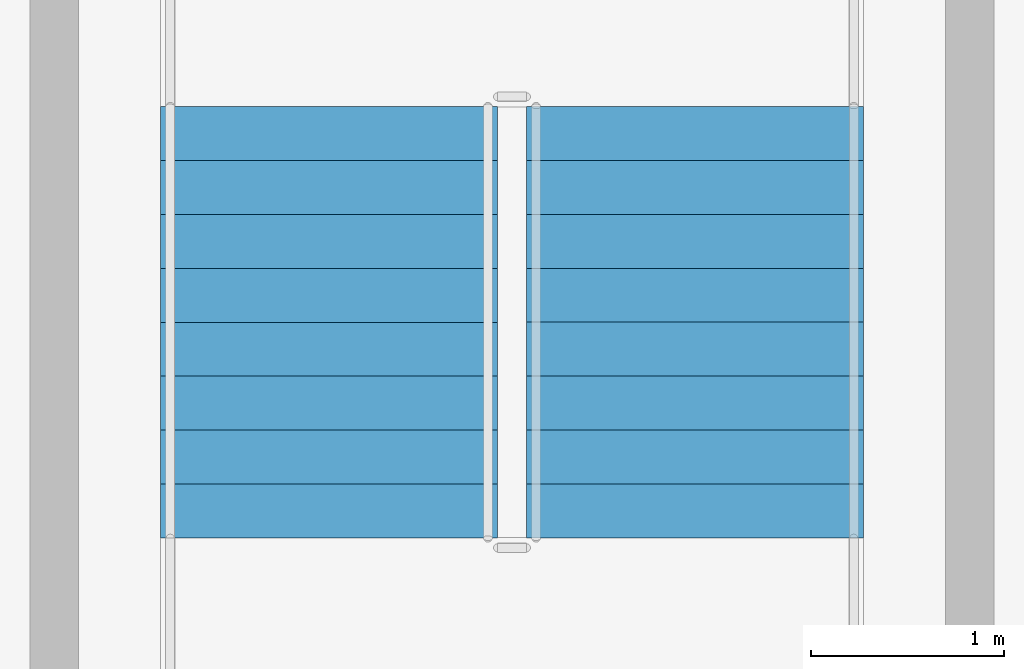
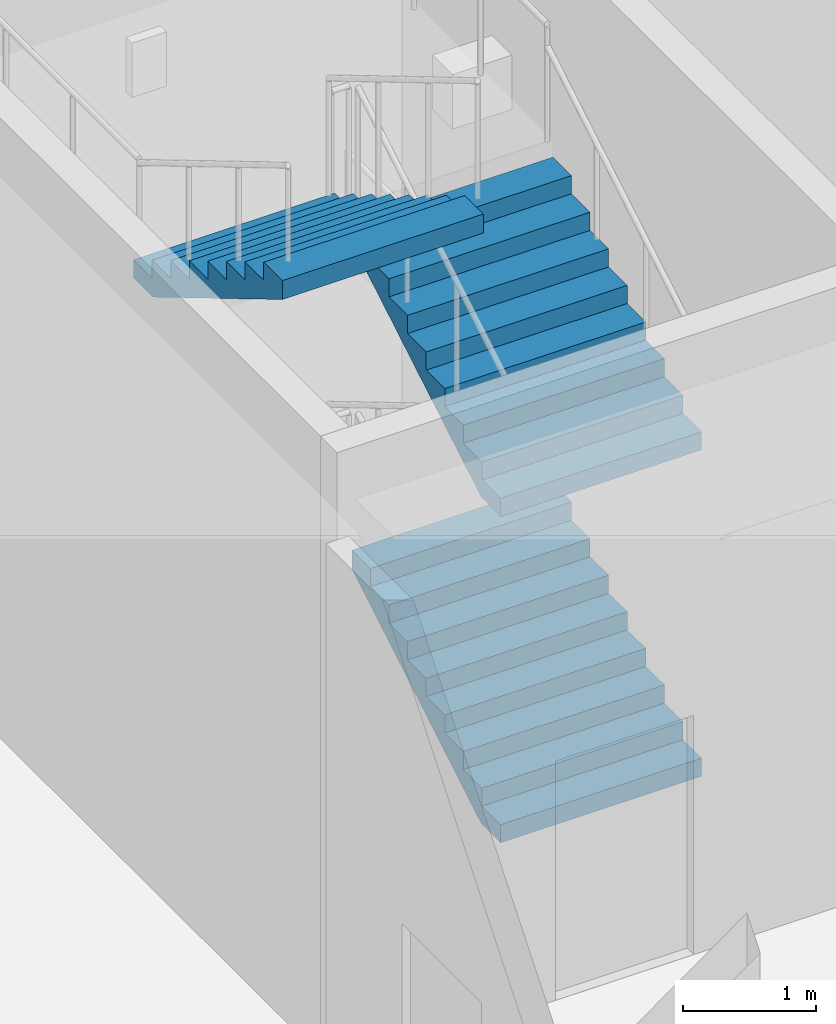
# One storey, part 65 of 125: 3 stair flights, 1 element without a shape of its own.
"""IFC4 building model written with IfcOpenShell, lengths in metres."""

import ifcopenshell
import ifcopenshell.guid

model = None  # the IFC model being written
_history = None  # IfcOwnerHistory: only IFC2X3 demands one
_inside = {}  # id of a spatial element -> (the spatial element, [elements in it])
_under = {}  # id of a project, library or spatial element -> (it, [spatial elements below it])
_declared = {}  # id of a project -> (the project, [libraries it declares])
_typed = {}  # id of a type object -> (the type object, [elements of that type])
_made_of = {}  # id of a material, layer set ... -> (it, [elements and type objects made of it])


def new_model(schema):
    """Start an empty IFC model of exactly this schema.

    Asked for "IFC4X3", IfcOpenShell would pick the latest addendum, in which some entities
    have other attributes; the version numbers below select the first issue.
    IFC2X3 requires an IfcOwnerHistory on every rooted entity: one is made here for all.
    """
    global model, _history
    if schema == "IFC4X3":
        model = ifcopenshell.file(schema_version=(4, 3, 0, 0))
    else:
        model = ifcopenshell.file(schema=schema)
    _inside.clear()
    _under.clear()
    _declared.clear()
    _typed.clear()
    _made_of.clear()
    _history = None
    if model.schema == "IFC2X3":
        org = make("IfcOrganization", Name="unknown")
        user = make(
            "IfcPersonAndOrganization",
            ThePerson=make("IfcPerson", FamilyName="unknown"),
            TheOrganization=org,
        )
        app = make(
            "IfcApplication",
            ApplicationDeveloper=org,
            Version="unknown",
            ApplicationFullName="unknown",
            ApplicationIdentifier="unknown",
        )
        _history = make(
            "IfcOwnerHistory",
            OwningUser=user,
            OwningApplication=app,
            ChangeAction="ADDED",
            CreationDate=0,
        )
    return model


def make(cls, **values):
    """One entity of the class cls with the attributes given. An attribute that is None is left unset."""
    return model.create_entity(
        cls, **{name: value for name, value in values.items() if value is not None}
    )


def rooted(cls, **values):
    """An entity with a GlobalId (a new one), such as an element, a storey or a relation."""
    return make(cls, GlobalId=ifcopenshell.guid.new(), OwnerHistory=_history, **values)


def si_unit(unit_type, name, prefix=None):
    """IfcSIUnit, for example si_unit("LENGTHUNIT", "METRE", prefix="MILLI")."""
    return make("IfcSIUnit", UnitType=unit_type, Prefix=prefix, Name=name)


def assignment(units):
    """IfcUnitAssignment: the units of a project."""
    return None if units is None else make("IfcUnitAssignment", Units=units)


def point(xyz):
    """IfcCartesianPoint."""
    return None if xyz is None else make("IfcCartesianPoint", Coordinates=xyz)


def direction(xyz):
    """IfcDirection."""
    return None if xyz is None else make("IfcDirection", DirectionRatios=xyz)


def frame(location, z_axis=None, x_axis=None):
    """IfcAxis2Placement3D, a coordinate frame: its origin and axes. An axis left out is left unset."""
    return make(
        "IfcAxis2Placement3D",
        Location=point(location),
        Axis=direction(z_axis),
        RefDirection=direction(x_axis),
    )


def origin():
    """The frame at (0, 0, 0) with its axes left unset."""
    return frame((0.0, 0.0, 0.0))


def place(relative_to, where):
    """IfcLocalPlacement: puts the frame where relative to a parent placement (None: the world)."""
    return make(
        "IfcLocalPlacement", PlacementRelTo=relative_to, RelativePlacement=where
    )


def context(
    kind, dimensions, precision=None, world=None, true_north=None, identifier=None
):
    """IfcGeometricRepresentationContext, for example the 3D "Model" context."""
    return make(
        "IfcGeometricRepresentationContext",
        ContextIdentifier=identifier,
        ContextType=kind,
        CoordinateSpaceDimension=dimensions,
        Precision=precision,
        WorldCoordinateSystem=world,
        TrueNorth=true_north,
    )


def subcontext(parent, identifier, kind, view, scale=None):
    """IfcGeometricRepresentationSubContext, for example "Body" below "Model"."""
    return make(
        "IfcGeometricRepresentationSubContext",
        ContextIdentifier=identifier,
        ContextType=kind,
        ParentContext=parent,
        TargetScale=scale,
        TargetView=view,
    )


def project(units=None, contexts=None):
    """IfcProject with its units and contexts."""
    return rooted(
        "IfcProject",
        Name="project",
        RepresentationContexts=contexts,
        UnitsInContext=assignment(units),
    )


def spatial(cls, under=None, at=None, **own):
    """A site, building, storey or space (cls), placed at a placement, below another one or the project."""
    s = rooted(cls, ObjectPlacement=at, **own)
    if under is not None:
        _under.setdefault(under.id(), (under, []))[1].append(s)
    return s


def polyline(points):
    """IfcPolyline through the points."""
    return make("IfcPolyline", Points=[point(p) for p in points])


def outline(outer, holes=None, kind="AREA"):
    """IfcArbitraryClosedProfileDef: a profile drawn as a closed curve; with holes, ...WithVoids."""
    if holes is None:
        return make("IfcArbitraryClosedProfileDef", ProfileType=kind, OuterCurve=outer)
    return make(
        "IfcArbitraryProfileDefWithVoids",
        ProfileType=kind,
        OuterCurve=outer,
        InnerCurves=holes,
    )


def extrude(swept, where, along, depth):
    """IfcExtrudedAreaSolid: the profile swept, set in the frame where, extruded along a direction by depth."""
    return make(
        "IfcExtrudedAreaSolid",
        SweptArea=swept,
        Position=where,
        ExtrudedDirection=direction(along),
        Depth=depth,
    )


def shape(context_of_items, identifier, shape_type, items):
    """IfcShapeRepresentation: the items that make up one representation, for example the "Body"."""
    return make(
        "IfcShapeRepresentation",
        ContextOfItems=context_of_items,
        RepresentationIdentifier=identifier,
        RepresentationType=shape_type,
        Items=items,
    )


def material(Name=None, Category=None):
    """IfcMaterial."""
    return make("IfcMaterial", Name=Name, Category=Category)


def made_of(thing, what):
    """Note that an element or type object is made of a material, layer set ...; save() writes the relation."""
    if what is not None:
        _made_of.setdefault(what.id(), (what, []))[1].append(thing)
    return thing


def type_object(cls, material=None, **own):
    """A type object (cls), such as IfcWallType, which elements share."""
    return made_of(rooted(cls, **own), material)


def element(
    cls,
    number,
    at=None,
    inside=None,
    cuts=None,
    type_object=None,
    material=None,
    context=None,
    identifier="Body",
    shape_type=None,
    held_by="IfcProductDefinitionShape",
    body=None,
    shapes=None,
    **own,
):
    """One element of the class cls, such as IfcWall. Its Tag is "e" and its number.

    at: its placement. inside: the storey or other place that contains it. cuts: it is an
    opening in that element (IfcRelVoidsElement). A single representation is given by context,
    identifier, shape_type and body (its items); several are given by shapes. held_by: the class
    of the entity that holds the representations. save() writes the other relations.
    """
    e = rooted(cls, Tag="e%d" % number, ObjectPlacement=at, **own)
    if body is not None:
        shapes = [shape(context, identifier, shape_type, body)]
    if shapes is not None:
        e.Representation = make(held_by, Representations=shapes)
    if inside is not None:
        _inside.setdefault(inside.id(), (inside, []))[1].append(e)
    if cuts is not None:
        rooted(
            "IfcRelVoidsElement", RelatingBuildingElement=cuts, RelatedOpeningElement=e
        )
    if type_object is not None:
        _typed.setdefault(type_object.id(), (type_object, []))[1].append(e)
    return made_of(e, material)


def aggregate(whole, parts):
    """IfcRelAggregates: a whole, such as a stair, and the parts it consists of."""
    return rooted("IfcRelAggregates", RelatingObject=whole, RelatedObjects=parts)


def save(model, path):
    """Write the relations noted so far, then the file.

    IfcRelAggregates (storeys below a building ...), IfcRelContainedInSpatialStructure (elements
    in a storey), IfcRelDefinesByType, IfcRelAssociatesMaterial and IfcRelDeclares: one each for
    every whole, place, type object, material and project.
    """
    for whole, parts in _under.values():
        aggregate(whole, parts)
    for where, things in _inside.values():
        rooted(
            "IfcRelContainedInSpatialStructure",
            RelatedElements=things,
            RelatingStructure=where,
        )
    for kind, things in _typed.values():
        rooted("IfcRelDefinesByType", RelatedObjects=things, RelatingType=kind)
    for what, things in _made_of.values():
        rooted("IfcRelAssociatesMaterial", RelatedObjects=things, RelatingMaterial=what)
    for by, libraries in _declared.values():
        rooted("IfcRelDeclares", RelatingContext=by, RelatedDefinitions=libraries)
    model.write(path)


model = new_model("IFC4")

# Units and contexts
model_context = context("Model", 3, precision=1e-05, world=origin(), true_north=direction((0.0, 1.0)))
body_context = subcontext(model_context, "Body", "Model", "MODEL_VIEW")
ifc_project = project(units=[si_unit("LENGTHUNIT", "METRE"), si_unit("AREAUNIT", "SQUARE_METRE"), si_unit("VOLUMEUNIT", "CUBIC_METRE"), si_unit("PLANEANGLEUNIT", "RADIAN"), si_unit("MASSUNIT", "GRAM", prefix="KILO")], contexts=[model_context])

# Site, building, storey
site_placement = place(None, origin())
site = spatial("IfcSite", under=ifc_project, at=site_placement, CompositionType="ELEMENT")
building_placement = place(site_placement, origin())
building = spatial("IfcBuilding", under=site, at=building_placement, Name="Sun Court Science Centre", CompositionType="ELEMENT")
storey_placement = place(building_placement, origin())
storey = spatial("IfcBuildingStorey", under=building, at=storey_placement, Name="L00", CompositionType="ELEMENT", Elevation=0.0)

# Stair, stair flights
ifc_material_1 = material(Name="Concrete C25/30", Category="concrete")
stair_type = type_object("IfcStairType", Name="Stair 1500 enclosed half-turn", PredefinedType="HALF_TURN_STAIR", material=ifc_material_1)
stair_placement = place(storey_placement, origin())
stair = element("IfcStair", 1, at=stair_placement, inside=storey, type_object=stair_type, Name="L00 Stair SL3", PredefinedType="HALF_TURN_STAIR")
ifc_material_2 = material(Name="Concrete C25/30", Category="concrete")
stair_flight_type = type_object("IfcStairFlightType", Name="Stair flight 1500 with waist", PredefinedType="STRAIGHT", material=ifc_material_2)
stair_flight_1_placement = place(storey_placement, frame((85.448974609375, 60.498046875, 0.0), z_axis=(0.0, 0.0, 1.0), x_axis=(0.0, 1.0, 0.0)))
stair_flight_1 = element("IfcStairFlight", 2, at=stair_flight_1_placement, type_object=stair_flight_type, Name="SL3 flight 1", NumberOfRisers=9, NumberOfTreads=8, PredefinedType="STRAIGHT", RiserHeight=0.166666667, TreadLength=0.28, context=body_context, shape_type="SweptSolid", body=[
    extrude(outline(polyline([(0.0, 0.0), (0.0, 0.00244140625), (0.0, 0.0048828125), (0.0, 0.00732421875), (0.0, 0.009765625), (0.0, 0.01220703125), (0.0, 0.0146484375), (0.0, 0.01708984375), (0.0, 0.01953125), (0.0, 0.02197265625), (0.0, 0.0244140625), (0.0, 0.02685546875), (0.0, 0.029296875), (0.0, 0.03173828125), (0.0, 0.0341796875), (0.0, 0.03662109375), (0.0, 0.0390625), (0.0, 0.04150390625), (0.0, 0.0439453125), (0.0, 0.04638671875), (0.0, 0.048828125), (0.0, 0.05126953125), (0.0, 0.0537109375), (0.0, 0.05615234375), (0.0, 0.05859375), (0.0, 0.06103515625), (0.0, 0.0634765625), (0.0, 0.06591796875), (0.0, 0.068359375), (0.0, 0.07080078125), (0.0, 0.0732421875), (0.0, 0.07568359375), (0.0, 0.078125), (0.0, 0.08056640625), (0.0, 0.0830078125), (0.0, 0.08544921875), (0.0, 0.087890625), (0.0, 0.09033203125), (0.0, 0.0927734375), (0.0, 0.09521484375), (0.0, 0.09765625), (0.0, 0.10009765625), (0.0, 0.1025390625), (0.0, 0.10498046875), (0.0, 0.107421875), (0.0, 0.10986328125), (0.0, 0.1123046875), (0.0, 0.11474609375), (0.0, 0.1171875), (0.0, 0.11962890625), (0.0, 0.1220703125), (0.0, 0.12451171875), (0.0, 0.126953125), (0.0, 0.12939453125), (0.0, 0.1318359375), (0.0, 0.13427734375), (0.0, 0.13671875), (0.0, 0.13916015625), (0.0, 0.1416015625), (0.0, 0.14404296875), (0.0, 0.146484375), (0.0, 0.14892578125), (0.0, 0.1513671875), (0.0, 0.15380859375), (0.0, 0.15625), (0.0, 0.15869140625), (0.0, 0.1611328125), (0.0, 0.16357421875), (0.0, 0.166748046875), (0.280029296875, 0.166748046875), (0.280029296875, 0.333251953125), (0.56005859375, 0.333251953125), (0.56005859375, 0.5), (0.840087890625, 0.5), (0.840087890625, 0.666748046875), (1.1201171875, 0.666748046875), (1.1201171875, 0.833251953125), (1.39990234375, 0.833251953125), (1.39990234375, 1.0), (1.679931640625, 1.0), (1.679931640625, 1.166748046875), (1.9599609375, 1.166748046875), (1.9599609375, 1.333251953125), (2.239990234375, 1.333251953125), (2.239990234375, 1.335693359375), (2.239990234375, 1.338134765625), (2.239990234375, 1.340576171875), (2.239990234375, 1.343017578125), (2.239990234375, 1.345458984375), (2.239990234375, 1.347900390625), (2.239990234375, 1.350341796875), (2.239990234375, 1.352783203125), (2.239990234375, 1.355224609375), (2.239990234375, 1.357666015625), (2.239990234375, 1.360107421875), (2.239990234375, 1.362548828125), (2.239990234375, 1.364990234375), (2.239990234375, 1.367431640625), (2.239990234375, 1.369873046875), (2.239990234375, 1.372314453125), (2.239990234375, 1.374755859375), (2.239990234375, 1.377197265625), (2.239990234375, 1.379638671875), (2.239990234375, 1.382080078125), (2.239990234375, 1.384521484375), (2.239990234375, 1.386962890625), (2.239990234375, 1.389404296875), (2.239990234375, 1.391845703125), (2.239990234375, 1.394287109375), (2.239990234375, 1.396728515625), (2.239990234375, 1.399169921875), (2.239990234375, 1.401611328125), (2.239990234375, 1.404052734375), (2.239990234375, 1.406494140625), (2.239990234375, 1.408935546875), (2.239990234375, 1.411376953125), (2.239990234375, 1.413818359375), (2.239990234375, 1.416259765625), (2.239990234375, 1.418701171875), (2.239990234375, 1.421142578125), (2.239990234375, 1.423583984375), (2.239990234375, 1.426025390625), (2.239990234375, 1.428466796875), (2.239990234375, 1.430908203125), (2.239990234375, 1.433349609375), (2.239990234375, 1.435791015625), (2.239990234375, 1.438232421875), (2.239990234375, 1.440673828125), (2.239990234375, 1.443115234375), (2.239990234375, 1.445556640625), (2.239990234375, 1.447998046875), (2.239990234375, 1.450439453125), (2.239990234375, 1.452880859375), (2.239990234375, 1.455322265625), (2.239990234375, 1.457763671875), (2.239990234375, 1.460205078125), (2.239990234375, 1.462646484375), (2.239990234375, 1.465087890625), (2.239990234375, 1.467529296875), (2.239990234375, 1.469970703125), (2.239990234375, 1.472412109375), (2.239990234375, 1.474853515625), (2.239990234375, 1.477294921875), (2.239990234375, 1.479736328125), (2.239990234375, 1.482177734375), (2.239990234375, 1.484619140625), (2.239990234375, 1.487060546875), (2.239990234375, 1.489501953125), (2.239990234375, 1.491943359375), (2.239990234375, 1.494384765625), (2.239990234375, 1.496826171875), (2.239990234375, 1.5), (2.239990234375, 1.49755859375), (2.239990234375, 1.4951171875), (2.239990234375, 1.49267578125), (2.239990234375, 1.490234375), (2.239990234375, 1.48779296875), (2.239990234375, 1.4853515625), (2.239990234375, 1.48291015625), (2.239990234375, 1.48046875), (2.239990234375, 1.47802734375), (2.239990234375, 1.4755859375), (2.239990234375, 1.47314453125), (2.239990234375, 1.470703125), (2.239990234375, 1.46826171875), (2.239990234375, 1.4658203125), (2.239990234375, 1.46337890625), (2.239990234375, 1.4609375), (2.239990234375, 1.45849609375), (2.239990234375, 1.4560546875), (2.239990234375, 1.45361328125), (2.239990234375, 1.451171875), (2.239990234375, 1.44873046875), (2.239990234375, 1.4462890625), (2.239990234375, 1.44384765625), (2.239990234375, 1.44140625), (2.239990234375, 1.43896484375), (2.239990234375, 1.4365234375), (2.239990234375, 1.43408203125), (2.239990234375, 1.431640625), (2.239990234375, 1.42919921875), (2.239990234375, 1.4267578125), (2.239990234375, 1.42431640625), (2.239990234375, 1.421875), (2.239990234375, 1.41943359375), (2.239990234375, 1.4169921875), (2.239990234375, 1.41455078125), (2.239990234375, 1.412109375), (2.239990234375, 1.40966796875), (2.239990234375, 1.4072265625), (2.239990234375, 1.40478515625), (2.239990234375, 1.40234375), (2.239990234375, 1.39990234375), (2.239990234375, 1.3974609375), (2.239990234375, 1.39501953125), (2.239990234375, 1.392578125), (2.239990234375, 1.39013671875), (2.239990234375, 1.3876953125), (2.239990234375, 1.38525390625), (2.239990234375, 1.3828125), (2.239990234375, 1.38037109375), (2.239990234375, 1.3779296875), (2.239990234375, 1.37548828125), (2.239990234375, 1.373046875), (2.239990234375, 1.37060546875), (2.239990234375, 1.3681640625), (2.239990234375, 1.36572265625), (2.239990234375, 1.36328125), (2.239990234375, 1.36083984375), (2.239990234375, 1.3583984375), (2.239990234375, 1.35595703125), (2.239990234375, 1.353515625), (2.239990234375, 1.35107421875), (2.239990234375, 1.3486328125), (2.239990234375, 1.34619140625), (2.239990234375, 1.34375), (2.239990234375, 1.34130859375), (2.239990234375, 1.3388671875), (2.239990234375, 1.33642578125), (2.239990234375, 1.333984375), (2.239990234375, 1.33154296875), (2.239990234375, 1.3291015625), (2.239990234375, 1.32666015625), (2.239990234375, 1.32421875), (2.239990234375, 1.32177734375), (2.239990234375, 1.3193359375), (2.239990234375, 1.31689453125), (2.239990234375, 1.314453125), (2.239990234375, 1.31201171875), (2.239990234375, 1.3095703125), (2.239990234375, 1.30712890625), (2.239990234375, 1.3046875), (2.239990234375, 1.30224609375), (2.239990234375, 1.2998046875), (2.239990234375, 1.29736328125), (2.239990234375, 1.294921875), (2.239990234375, 1.29248046875), (2.239990234375, 1.2900390625), (2.239990234375, 1.28759765625), (2.239990234375, 1.28515625), (2.239990234375, 1.28271484375), (2.239990234375, 1.2802734375), (2.239990234375, 1.27783203125), (2.239990234375, 1.275390625), (2.239990234375, 1.27294921875), (2.239990234375, 1.2705078125), (2.239990234375, 1.26806640625), (2.239990234375, 1.265625), (2.239990234375, 1.26318359375), (2.239990234375, 1.2607421875), (2.239990234375, 1.25830078125), (2.239990234375, 1.255859375), (2.239990234375, 1.25341796875), (2.239990234375, 1.2509765625), (2.239990234375, 1.24853515625), (2.239990234375, 1.24609375), (2.239990234375, 1.24365234375), (2.239990234375, 1.2412109375), (2.239990234375, 1.23876953125), (2.239990234375, 1.236328125), (2.239990234375, 1.23388671875), (2.239990234375, 1.2314453125), (2.239990234375, 1.22900390625), (2.239990234375, 1.2265625), (2.239990234375, 1.22412109375), (2.239990234375, 1.2216796875), (2.239990234375, 1.21923828125), (2.239990234375, 1.216796875), (2.239990234375, 1.21435546875), (2.239990234375, 1.2119140625), (2.239990234375, 1.20947265625), (2.239990234375, 1.20703125), (2.239990234375, 1.20458984375), (2.239990234375, 1.2021484375), (2.239990234375, 1.19970703125), (2.239990234375, 1.197265625), (2.239990234375, 1.19482421875), (2.239990234375, 1.1923828125), (2.239990234375, 1.18994140625), (2.239990234375, 1.1875), (2.239990234375, 1.18505859375), (2.239990234375, 1.1826171875), (2.239990234375, 1.18017578125), (2.239990234375, 1.177734375), (2.239990234375, 1.17529296875), (2.239990234375, 1.1728515625), (2.239990234375, 1.17041015625), (2.239990234375, 1.16796875), (2.239990234375, 1.16552734375), (2.239990234375, 1.1630859375), (2.239990234375, 1.158935546875), (0.29296875, 0.0), (0.0, 0.0)])), frame((0.0, 0.8740234375, 0.0), z_axis=(0.0, -1.0, 0.0), x_axis=(1.0, 0.0, 0.0)), (0.0, 0.0, 1.0), 1.748046875),
])
stair_flight_2_placement = place(storey_placement, frame((85.448974609375, 60.498046875, 3.0), z_axis=(0.0, 0.0, 1.0), x_axis=(0.0, 1.0, 0.0)))
stair_flight_2 = element("IfcStairFlight", 3, at=stair_flight_2_placement, type_object=stair_flight_type, Name="SL3 flight 3", NumberOfRisers=9, NumberOfTreads=8, PredefinedType="STRAIGHT", RiserHeight=0.166666667, TreadLength=0.28, context=body_context, shape_type="SweptSolid", body=[
    extrude(outline(polyline([(0.0, 0.0), (0.0, 0.00244140625), (0.0, 0.0048828125), (0.0, 0.00732421875), (0.0, 0.009765625), (0.0, 0.01220703125), (0.0, 0.0146484375), (0.0, 0.01708984375), (0.0, 0.01953125), (0.0, 0.02197265625), (0.0, 0.0244140625), (0.0, 0.02685546875), (0.0, 0.029296875), (0.0, 0.03173828125), (0.0, 0.0341796875), (0.0, 0.03662109375), (0.0, 0.0390625), (0.0, 0.04150390625), (0.0, 0.0439453125), (0.0, 0.04638671875), (0.0, 0.048828125), (0.0, 0.05126953125), (0.0, 0.0537109375), (0.0, 0.05615234375), (0.0, 0.05859375), (0.0, 0.06103515625), (0.0, 0.0634765625), (0.0, 0.06591796875), (0.0, 0.068359375), (0.0, 0.07080078125), (0.0, 0.0732421875), (0.0, 0.07568359375), (0.0, 0.078125), (0.0, 0.08056640625), (0.0, 0.0830078125), (0.0, 0.08544921875), (0.0, 0.087890625), (0.0, 0.09033203125), (0.0, 0.0927734375), (0.0, 0.09521484375), (0.0, 0.09765625), (0.0, 0.10009765625), (0.0, 0.1025390625), (0.0, 0.10498046875), (0.0, 0.107421875), (0.0, 0.10986328125), (0.0, 0.1123046875), (0.0, 0.11474609375), (0.0, 0.1171875), (0.0, 0.11962890625), (0.0, 0.1220703125), (0.0, 0.12451171875), (0.0, 0.126953125), (0.0, 0.12939453125), (0.0, 0.1318359375), (0.0, 0.13427734375), (0.0, 0.13671875), (0.0, 0.13916015625), (0.0, 0.1416015625), (0.0, 0.14404296875), (0.0, 0.146484375), (0.0, 0.14892578125), (0.0, 0.1513671875), (0.0, 0.15380859375), (0.0, 0.15625), (0.0, 0.15869140625), (0.0, 0.1611328125), (0.0, 0.16357421875), (0.0, 0.166748046875), (0.280029296875, 0.166748046875), (0.280029296875, 0.333251953125), (0.56005859375, 0.333251953125), (0.56005859375, 0.5), (0.840087890625, 0.5), (0.840087890625, 0.666748046875), (1.1201171875, 0.666748046875), (1.1201171875, 0.833251953125), (1.39990234375, 0.833251953125), (1.39990234375, 1.0), (1.679931640625, 1.0), (1.679931640625, 1.166748046875), (1.9599609375, 1.166748046875), (1.9599609375, 1.333251953125), (2.239990234375, 1.333251953125), (2.239990234375, 1.335693359375), (2.239990234375, 1.338134765625), (2.239990234375, 1.340576171875), (2.239990234375, 1.343017578125), (2.239990234375, 1.345458984375), (2.239990234375, 1.347900390625), (2.239990234375, 1.350341796875), (2.239990234375, 1.352783203125), (2.239990234375, 1.355224609375), (2.239990234375, 1.357666015625), (2.239990234375, 1.360107421875), (2.239990234375, 1.362548828125), (2.239990234375, 1.364990234375), (2.239990234375, 1.367431640625), (2.239990234375, 1.369873046875), (2.239990234375, 1.372314453125), (2.239990234375, 1.374755859375), (2.239990234375, 1.377197265625), (2.239990234375, 1.379638671875), (2.239990234375, 1.382080078125), (2.239990234375, 1.384521484375), (2.239990234375, 1.386962890625), (2.239990234375, 1.389404296875), (2.239990234375, 1.391845703125), (2.239990234375, 1.394287109375), (2.239990234375, 1.396728515625), (2.239990234375, 1.399169921875), (2.239990234375, 1.401611328125), (2.239990234375, 1.404052734375), (2.239990234375, 1.406494140625), (2.239990234375, 1.408935546875), (2.239990234375, 1.411376953125), (2.239990234375, 1.413818359375), (2.239990234375, 1.416259765625), (2.239990234375, 1.418701171875), (2.239990234375, 1.421142578125), (2.239990234375, 1.423583984375), (2.239990234375, 1.426025390625), (2.239990234375, 1.428466796875), (2.239990234375, 1.430908203125), (2.239990234375, 1.433349609375), (2.239990234375, 1.435791015625), (2.239990234375, 1.438232421875), (2.239990234375, 1.440673828125), (2.239990234375, 1.443115234375), (2.239990234375, 1.445556640625), (2.239990234375, 1.447998046875), (2.239990234375, 1.450439453125), (2.239990234375, 1.452880859375), (2.239990234375, 1.455322265625), (2.239990234375, 1.457763671875), (2.239990234375, 1.460205078125), (2.239990234375, 1.462646484375), (2.239990234375, 1.465087890625), (2.239990234375, 1.467529296875), (2.239990234375, 1.469970703125), (2.239990234375, 1.472412109375), (2.239990234375, 1.474853515625), (2.239990234375, 1.477294921875), (2.239990234375, 1.479736328125), (2.239990234375, 1.482177734375), (2.239990234375, 1.484619140625), (2.239990234375, 1.487060546875), (2.239990234375, 1.489501953125), (2.239990234375, 1.491943359375), (2.239990234375, 1.494384765625), (2.239990234375, 1.496826171875), (2.239990234375, 1.5), (2.239990234375, 1.49755859375), (2.239990234375, 1.4951171875), (2.239990234375, 1.49267578125), (2.239990234375, 1.490234375), (2.239990234375, 1.48779296875), (2.239990234375, 1.4853515625), (2.239990234375, 1.48291015625), (2.239990234375, 1.48046875), (2.239990234375, 1.47802734375), (2.239990234375, 1.4755859375), (2.239990234375, 1.47314453125), (2.239990234375, 1.470703125), (2.239990234375, 1.46826171875), (2.239990234375, 1.4658203125), (2.239990234375, 1.46337890625), (2.239990234375, 1.4609375), (2.239990234375, 1.45849609375), (2.239990234375, 1.4560546875), (2.239990234375, 1.45361328125), (2.239990234375, 1.451171875), (2.239990234375, 1.44873046875), (2.239990234375, 1.4462890625), (2.239990234375, 1.44384765625), (2.239990234375, 1.44140625), (2.239990234375, 1.43896484375), (2.239990234375, 1.4365234375), (2.239990234375, 1.43408203125), (2.239990234375, 1.431640625), (2.239990234375, 1.42919921875), (2.239990234375, 1.4267578125), (2.239990234375, 1.42431640625), (2.239990234375, 1.421875), (2.239990234375, 1.41943359375), (2.239990234375, 1.4169921875), (2.239990234375, 1.41455078125), (2.239990234375, 1.412109375), (2.239990234375, 1.40966796875), (2.239990234375, 1.4072265625), (2.239990234375, 1.40478515625), (2.239990234375, 1.40234375), (2.239990234375, 1.39990234375), (2.239990234375, 1.3974609375), (2.239990234375, 1.39501953125), (2.239990234375, 1.392578125), (2.239990234375, 1.39013671875), (2.239990234375, 1.3876953125), (2.239990234375, 1.38525390625), (2.239990234375, 1.3828125), (2.239990234375, 1.38037109375), (2.239990234375, 1.3779296875), (2.239990234375, 1.37548828125), (2.239990234375, 1.373046875), (2.239990234375, 1.37060546875), (2.239990234375, 1.3681640625), (2.239990234375, 1.36572265625), (2.239990234375, 1.36328125), (2.239990234375, 1.36083984375), (2.239990234375, 1.3583984375), (2.239990234375, 1.35595703125), (2.239990234375, 1.353515625), (2.239990234375, 1.35107421875), (2.239990234375, 1.3486328125), (2.239990234375, 1.34619140625), (2.239990234375, 1.34375), (2.239990234375, 1.34130859375), (2.239990234375, 1.3388671875), (2.239990234375, 1.33642578125), (2.239990234375, 1.333984375), (2.239990234375, 1.33154296875), (2.239990234375, 1.3291015625), (2.239990234375, 1.32666015625), (2.239990234375, 1.32421875), (2.239990234375, 1.32177734375), (2.239990234375, 1.3193359375), (2.239990234375, 1.31689453125), (2.239990234375, 1.314453125), (2.239990234375, 1.31201171875), (2.239990234375, 1.3095703125), (2.239990234375, 1.30712890625), (2.239990234375, 1.3046875), (2.239990234375, 1.30224609375), (2.239990234375, 1.2998046875), (2.239990234375, 1.29736328125), (2.239990234375, 1.294921875), (2.239990234375, 1.29248046875), (2.239990234375, 1.2900390625), (2.239990234375, 1.28759765625), (2.239990234375, 1.28515625), (2.239990234375, 1.28271484375), (2.239990234375, 1.2802734375), (2.239990234375, 1.27783203125), (2.239990234375, 1.275390625), (2.239990234375, 1.27294921875), (2.239990234375, 1.2705078125), (2.239990234375, 1.26806640625), (2.239990234375, 1.265625), (2.239990234375, 1.26318359375), (2.239990234375, 1.2607421875), (2.239990234375, 1.25830078125), (2.239990234375, 1.255859375), (2.239990234375, 1.25341796875), (2.239990234375, 1.2509765625), (2.239990234375, 1.24853515625), (2.239990234375, 1.24609375), (2.239990234375, 1.24365234375), (2.239990234375, 1.2412109375), (2.239990234375, 1.23876953125), (2.239990234375, 1.236328125), (2.239990234375, 1.23388671875), (2.239990234375, 1.2314453125), (2.239990234375, 1.22900390625), (2.239990234375, 1.2265625), (2.239990234375, 1.22412109375), (2.239990234375, 1.2216796875), (2.239990234375, 1.21923828125), (2.239990234375, 1.216796875), (2.239990234375, 1.21435546875), (2.239990234375, 1.2119140625), (2.239990234375, 1.20947265625), (2.239990234375, 1.20703125), (2.239990234375, 1.20458984375), (2.239990234375, 1.2021484375), (2.239990234375, 1.19970703125), (2.239990234375, 1.197265625), (2.239990234375, 1.19482421875), (2.239990234375, 1.1923828125), (2.239990234375, 1.18994140625), (2.239990234375, 1.1875), (2.239990234375, 1.18505859375), (2.239990234375, 1.1826171875), (2.239990234375, 1.18017578125), (2.239990234375, 1.177734375), (2.239990234375, 1.17529296875), (2.239990234375, 1.1728515625), (2.239990234375, 1.17041015625), (2.239990234375, 1.16796875), (2.239990234375, 1.16552734375), (2.239990234375, 1.1630859375), (2.239990234375, 1.158935546875), (0.29296875, 0.0), (0.0, 0.0)])), frame((0.0, 0.8740234375, 0.0), z_axis=(0.0, -1.0, 0.0), x_axis=(1.0, 0.0, 0.0)), (0.0, 0.0, 1.0), 1.748046875),
])
stair_flight_3_placement = place(storey_placement, frame((83.551025390625, 62.738037109375, 4.5), z_axis=(0.0, 0.0, 1.0), x_axis=(0.0, -1.0, 0.0)))
stair_flight_3 = element("IfcStairFlight", 4, at=stair_flight_3_placement, type_object=stair_flight_type, Name="SL3 flight 4", NumberOfRisers=9, NumberOfTreads=8, PredefinedType="STRAIGHT", RiserHeight=0.166666667, TreadLength=0.28, context=body_context, shape_type="SweptSolid", body=[
    extrude(outline(polyline([(0.0, 0.0), (0.0, 0.00244140625), (0.0, 0.0048828125), (0.0, 0.00732421875), (0.0, 0.009765625), (0.0, 0.01220703125), (0.0, 0.0146484375), (0.0, 0.01708984375), (0.0, 0.01953125), (0.0, 0.02197265625), (0.0, 0.0244140625), (0.0, 0.02685546875), (0.0, 0.029296875), (0.0, 0.03173828125), (0.0, 0.0341796875), (0.0, 0.03662109375), (0.0, 0.0390625), (0.0, 0.04150390625), (0.0, 0.0439453125), (0.0, 0.04638671875), (0.0, 0.048828125), (0.0, 0.05126953125), (0.0, 0.0537109375), (0.0, 0.05615234375), (0.0, 0.05859375), (0.0, 0.06103515625), (0.0, 0.0634765625), (0.0, 0.06591796875), (0.0, 0.068359375), (0.0, 0.07080078125), (0.0, 0.0732421875), (0.0, 0.07568359375), (0.0, 0.078125), (0.0, 0.08056640625), (0.0, 0.0830078125), (0.0, 0.08544921875), (0.0, 0.087890625), (0.0, 0.09033203125), (0.0, 0.0927734375), (0.0, 0.09521484375), (0.0, 0.09765625), (0.0, 0.10009765625), (0.0, 0.1025390625), (0.0, 0.10498046875), (0.0, 0.107421875), (0.0, 0.10986328125), (0.0, 0.1123046875), (0.0, 0.11474609375), (0.0, 0.1171875), (0.0, 0.11962890625), (0.0, 0.1220703125), (0.0, 0.12451171875), (0.0, 0.126953125), (0.0, 0.12939453125), (0.0, 0.1318359375), (0.0, 0.13427734375), (0.0, 0.13671875), (0.0, 0.13916015625), (0.0, 0.1416015625), (0.0, 0.14404296875), (0.0, 0.146484375), (0.0, 0.14892578125), (0.0, 0.1513671875), (0.0, 0.15380859375), (0.0, 0.15625), (0.0, 0.15869140625), (0.0, 0.1611328125), (0.0, 0.16357421875), (0.0, 0.166748046875), (0.280029296875, 0.166748046875), (0.280029296875, 0.333251953125), (0.56005859375, 0.333251953125), (0.56005859375, 0.5), (0.840087890625, 0.5), (0.840087890625, 0.666748046875), (1.1201171875, 0.666748046875), (1.1201171875, 0.833251953125), (1.39990234375, 0.833251953125), (1.39990234375, 1.0), (1.679931640625, 1.0), (1.679931640625, 1.166748046875), (1.9599609375, 1.166748046875), (1.9599609375, 1.333251953125), (2.239990234375, 1.333251953125), (2.239990234375, 1.335693359375), (2.239990234375, 1.338134765625), (2.239990234375, 1.340576171875), (2.239990234375, 1.343017578125), (2.239990234375, 1.345458984375), (2.239990234375, 1.347900390625), (2.239990234375, 1.350341796875), (2.239990234375, 1.352783203125), (2.239990234375, 1.355224609375), (2.239990234375, 1.357666015625), (2.239990234375, 1.360107421875), (2.239990234375, 1.362548828125), (2.239990234375, 1.364990234375), (2.239990234375, 1.367431640625), (2.239990234375, 1.369873046875), (2.239990234375, 1.372314453125), (2.239990234375, 1.374755859375), (2.239990234375, 1.377197265625), (2.239990234375, 1.379638671875), (2.239990234375, 1.382080078125), (2.239990234375, 1.384521484375), (2.239990234375, 1.386962890625), (2.239990234375, 1.389404296875), (2.239990234375, 1.391845703125), (2.239990234375, 1.394287109375), (2.239990234375, 1.396728515625), (2.239990234375, 1.399169921875), (2.239990234375, 1.401611328125), (2.239990234375, 1.404052734375), (2.239990234375, 1.406494140625), (2.239990234375, 1.408935546875), (2.239990234375, 1.411376953125), (2.239990234375, 1.413818359375), (2.239990234375, 1.416259765625), (2.239990234375, 1.418701171875), (2.239990234375, 1.421142578125), (2.239990234375, 1.423583984375), (2.239990234375, 1.426025390625), (2.239990234375, 1.428466796875), (2.239990234375, 1.430908203125), (2.239990234375, 1.433349609375), (2.239990234375, 1.435791015625), (2.239990234375, 1.438232421875), (2.239990234375, 1.440673828125), (2.239990234375, 1.443115234375), (2.239990234375, 1.445556640625), (2.239990234375, 1.447998046875), (2.239990234375, 1.450439453125), (2.239990234375, 1.452880859375), (2.239990234375, 1.455322265625), (2.239990234375, 1.457763671875), (2.239990234375, 1.460205078125), (2.239990234375, 1.462646484375), (2.239990234375, 1.465087890625), (2.239990234375, 1.467529296875), (2.239990234375, 1.469970703125), (2.239990234375, 1.472412109375), (2.239990234375, 1.474853515625), (2.239990234375, 1.477294921875), (2.239990234375, 1.479736328125), (2.239990234375, 1.482177734375), (2.239990234375, 1.484619140625), (2.239990234375, 1.487060546875), (2.239990234375, 1.489501953125), (2.239990234375, 1.491943359375), (2.239990234375, 1.494384765625), (2.239990234375, 1.496826171875), (2.239990234375, 1.5), (2.239990234375, 1.49755859375), (2.239990234375, 1.4951171875), (2.239990234375, 1.49267578125), (2.239990234375, 1.490234375), (2.239990234375, 1.48779296875), (2.239990234375, 1.4853515625), (2.239990234375, 1.48291015625), (2.239990234375, 1.48046875), (2.239990234375, 1.47802734375), (2.239990234375, 1.4755859375), (2.239990234375, 1.47314453125), (2.239990234375, 1.470703125), (2.239990234375, 1.46826171875), (2.239990234375, 1.4658203125), (2.239990234375, 1.46337890625), (2.239990234375, 1.4609375), (2.239990234375, 1.45849609375), (2.239990234375, 1.4560546875), (2.239990234375, 1.45361328125), (2.239990234375, 1.451171875), (2.239990234375, 1.44873046875), (2.239990234375, 1.4462890625), (2.239990234375, 1.44384765625), (2.239990234375, 1.44140625), (2.239990234375, 1.43896484375), (2.239990234375, 1.4365234375), (2.239990234375, 1.43408203125), (2.239990234375, 1.431640625), (2.239990234375, 1.42919921875), (2.239990234375, 1.4267578125), (2.239990234375, 1.42431640625), (2.239990234375, 1.421875), (2.239990234375, 1.41943359375), (2.239990234375, 1.4169921875), (2.239990234375, 1.41455078125), (2.239990234375, 1.412109375), (2.239990234375, 1.40966796875), (2.239990234375, 1.4072265625), (2.239990234375, 1.40478515625), (2.239990234375, 1.40234375), (2.239990234375, 1.39990234375), (2.239990234375, 1.3974609375), (2.239990234375, 1.39501953125), (2.239990234375, 1.392578125), (2.239990234375, 1.39013671875), (2.239990234375, 1.3876953125), (2.239990234375, 1.38525390625), (2.239990234375, 1.3828125), (2.239990234375, 1.38037109375), (2.239990234375, 1.3779296875), (2.239990234375, 1.37548828125), (2.239990234375, 1.373046875), (2.239990234375, 1.37060546875), (2.239990234375, 1.3681640625), (2.239990234375, 1.36572265625), (2.239990234375, 1.36328125), (2.239990234375, 1.36083984375), (2.239990234375, 1.3583984375), (2.239990234375, 1.35595703125), (2.239990234375, 1.353515625), (2.239990234375, 1.35107421875), (2.239990234375, 1.3486328125), (2.239990234375, 1.34619140625), (2.239990234375, 1.34375), (2.239990234375, 1.34130859375), (2.239990234375, 1.3388671875), (2.239990234375, 1.33642578125), (2.239990234375, 1.333984375), (2.239990234375, 1.33154296875), (2.239990234375, 1.3291015625), (2.239990234375, 1.32666015625), (2.239990234375, 1.32421875), (2.239990234375, 1.32177734375), (2.239990234375, 1.3193359375), (2.239990234375, 1.31689453125), (2.239990234375, 1.314453125), (2.239990234375, 1.31201171875), (2.239990234375, 1.3095703125), (2.239990234375, 1.30712890625), (2.239990234375, 1.3046875), (2.239990234375, 1.30224609375), (2.239990234375, 1.2998046875), (2.239990234375, 1.29736328125), (2.239990234375, 1.294921875), (2.239990234375, 1.29248046875), (2.239990234375, 1.2900390625), (2.239990234375, 1.28759765625), (2.239990234375, 1.28515625), (2.239990234375, 1.28271484375), (2.239990234375, 1.2802734375), (2.239990234375, 1.27783203125), (2.239990234375, 1.275390625), (2.239990234375, 1.27294921875), (2.239990234375, 1.2705078125), (2.239990234375, 1.26806640625), (2.239990234375, 1.265625), (2.239990234375, 1.26318359375), (2.239990234375, 1.2607421875), (2.239990234375, 1.25830078125), (2.239990234375, 1.255859375), (2.239990234375, 1.25341796875), (2.239990234375, 1.2509765625), (2.239990234375, 1.24853515625), (2.239990234375, 1.24609375), (2.239990234375, 1.24365234375), (2.239990234375, 1.2412109375), (2.239990234375, 1.23876953125), (2.239990234375, 1.236328125), (2.239990234375, 1.23388671875), (2.239990234375, 1.2314453125), (2.239990234375, 1.22900390625), (2.239990234375, 1.2265625), (2.239990234375, 1.22412109375), (2.239990234375, 1.2216796875), (2.239990234375, 1.21923828125), (2.239990234375, 1.216796875), (2.239990234375, 1.21435546875), (2.239990234375, 1.2119140625), (2.239990234375, 1.20947265625), (2.239990234375, 1.20703125), (2.239990234375, 1.20458984375), (2.239990234375, 1.2021484375), (2.239990234375, 1.19970703125), (2.239990234375, 1.197265625), (2.239990234375, 1.19482421875), (2.239990234375, 1.1923828125), (2.239990234375, 1.18994140625), (2.239990234375, 1.1875), (2.239990234375, 1.18505859375), (2.239990234375, 1.1826171875), (2.239990234375, 1.18017578125), (2.239990234375, 1.177734375), (2.239990234375, 1.17529296875), (2.239990234375, 1.1728515625), (2.239990234375, 1.17041015625), (2.239990234375, 1.16796875), (2.239990234375, 1.16552734375), (2.239990234375, 1.1630859375), (2.239990234375, 1.158935546875), (0.29296875, 0.0), (0.0, 0.0)])), frame((0.0, 0.8740234375, 0.0), z_axis=(0.0, -1.0, 0.0), x_axis=(1.0, 0.0, 0.0)), (0.0, 0.0, 1.0), 1.748046875),
])
aggregate(stair, [stair_flight_1, stair_flight_2, stair_flight_3])

save(model, "model.ifc")
